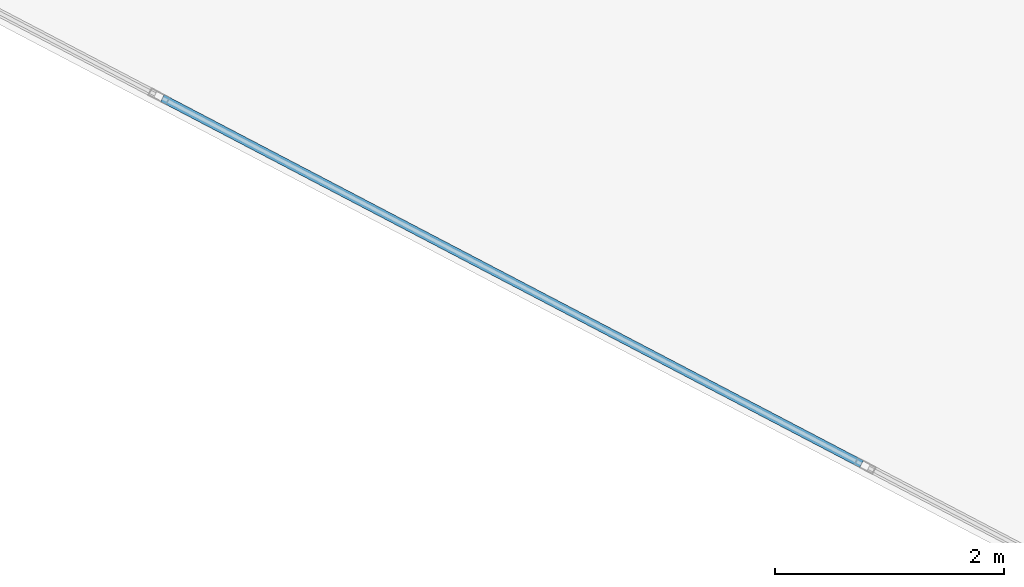
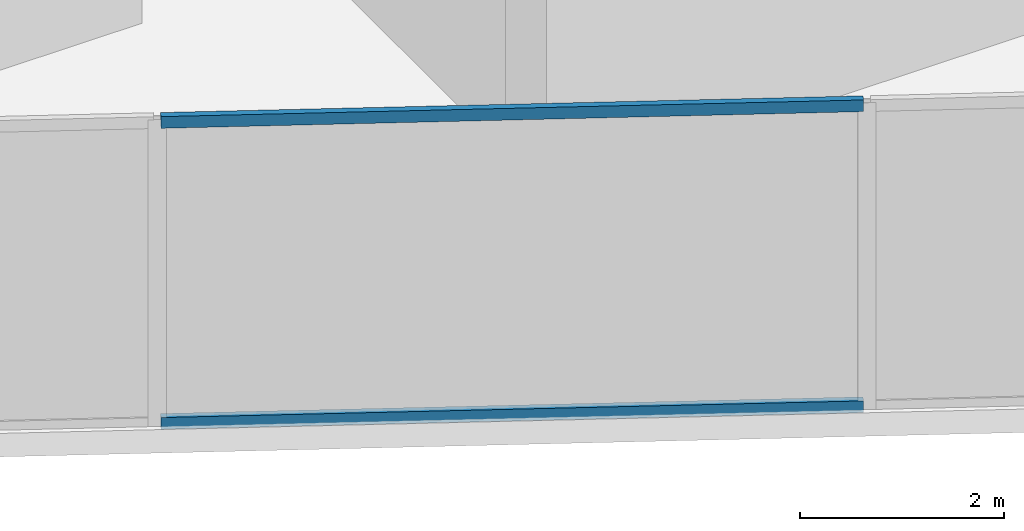
# One storey, part 4 of 27: 2 members, 1 element without a shape of its own.
"""IFC4 building model written with IfcOpenShell, lengths in metres."""

from ifc_helpers import new_model, si_unit, direction, frame, origin, origin_2d, place, context, subcontext, project, spatial, hollow_rectangle, extrude, source, transform, mapped, material, material_profile, profile_set, type_object, type_shapes, element, aggregate, save


model = new_model("IFC4")

# Units and contexts
model_context = context("Model", 3, precision=1e-05, world=origin(), true_north=direction((0.0, 1.0)))
body_context = subcontext(model_context, "Body", "Model", "MODEL_VIEW")
ifc_project = project(units=[si_unit("LENGTHUNIT", "METRE"), si_unit("AREAUNIT", "SQUARE_METRE"), si_unit("VOLUMEUNIT", "CUBIC_METRE"), si_unit("PLANEANGLEUNIT", "RADIAN"), si_unit("MASSUNIT", "GRAM", prefix="KILO")], contexts=[model_context])

# Site, building, storey
site_placement = place(None, origin())
site = spatial("IfcSite", under=ifc_project, at=site_placement, CompositionType="ELEMENT")
building_placement = place(site_placement, origin())
building = spatial("IfcBuilding", under=site, at=building_placement, Name="Krantzveldt Concourse Tower", CompositionType="ELEMENT")
storey_placement = place(building_placement, frame((0.0, 0.0, 158.050048828125)))
storey = spatial("IfcBuildingStorey", under=building, at=storey_placement, Name="L38", CompositionType="ELEMENT", Elevation=158.050048828125)

# Curtain wall, members
ifc_material = material(Name="Anodised aluminium 6063-T6", Category="aluminium")
curtain_wall_type = type_object("IfcCurtainWallType", Name="CW3", PredefinedType="USERDEFINED", material=ifc_material)
curtain_wall_placement = place(storey_placement, origin())
curtain_wall = element("IfcCurtainWall", 1, at=curtain_wall_placement, inside=storey, type_object=curtain_wall_type, Name="CW-L38-F04", ObjectType="UNITISED CURTAIN WALL", PredefinedType="USERDEFINED")
ifc_material_profile = material_profile(ifc_material, hollow_rectangle(XDim=0.070068359375, YDim=0.139892578125, WallThickness=0.0048828125, at=origin_2d()), Name="Anodised aluminium 6063-T6", Category="aluminium")
ifc_profile_set = profile_set([ifc_material_profile], Name="Anodised aluminium 6063-T6 - ALU-TRAN 140x70x5")
member_type = type_object("IfcMemberType", Name="CW-TRN-150", PredefinedType="USERDEFINED", material=ifc_profile_set)
shared_shape = source(origin(), body_context, "Body", "SweptSolid", [
    extrude(hollow_rectangle(XDim=0.070068359375, YDim=0.139892578125, WallThickness=0.0048828125, at=origin_2d()), origin(), (0.0, 0.0, 1.0), 6.89013671875),
])
type_shapes(member_type, [shared_shape])
member_1_placement = place(storey_placement, frame((22.834716796875, 8.9736328125, 0.034912109375), z_axis=(0.88600416291, -0.463677283577, 0.0), x_axis=(0.463677283577, 0.88600416291, 0.0)))
member_1 = element("IfcMember", 2, at=member_1_placement, type_object=member_type, Name="CW-Z34 transom 3.1", ObjectType="TRANSOM", PredefinedType="USERDEFINED", context=body_context, shape_type="MappedRepresentation", body=[
    mapped(shared_shape, transform((0.0, 0.0, 0.0), x_axis=(1.0, 0.0, 0.0), y_axis=(0.0, 1.0, 0.0), z_axis=(0.0, 0.0, 1.0), scale=1.0)),
])
member_2_placement = place(storey_placement, frame((22.834716796875, 8.9736328125, 3.635009765625), z_axis=(0.88600416291, -0.463677283577, 0.0), x_axis=(0.463677283577, 0.88600416291, 0.0)))
member_2 = element("IfcMember", 3, at=member_2_placement, type_object=member_type, Name="CW-Z34 transom 3.2", ObjectType="TRANSOM", PredefinedType="USERDEFINED", context=body_context, shape_type="MappedRepresentation", body=[
    mapped(shared_shape, transform((0.0, 0.0, 0.0), x_axis=(1.0, 0.0, 0.0), y_axis=(0.0, 1.0, 0.0), z_axis=(0.0, 0.0, 1.0), scale=1.0)),
])
aggregate(curtain_wall, [member_1, member_2])

save(model, "model.ifc")
